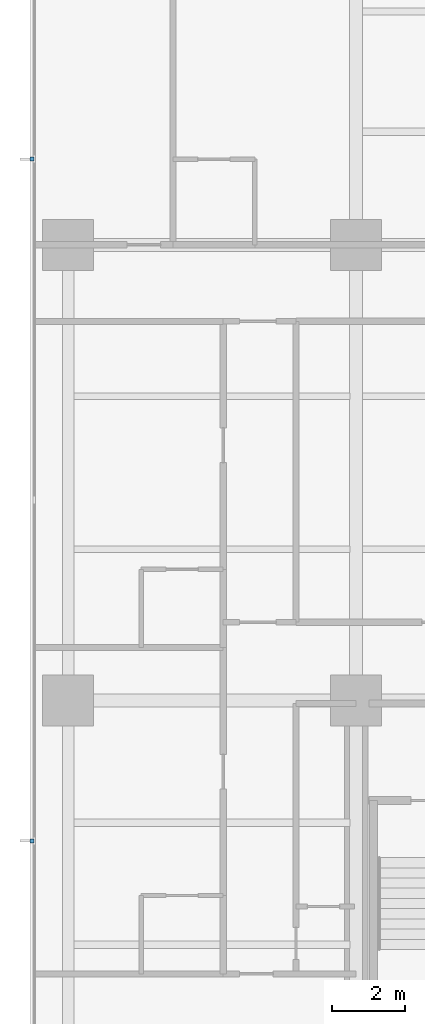
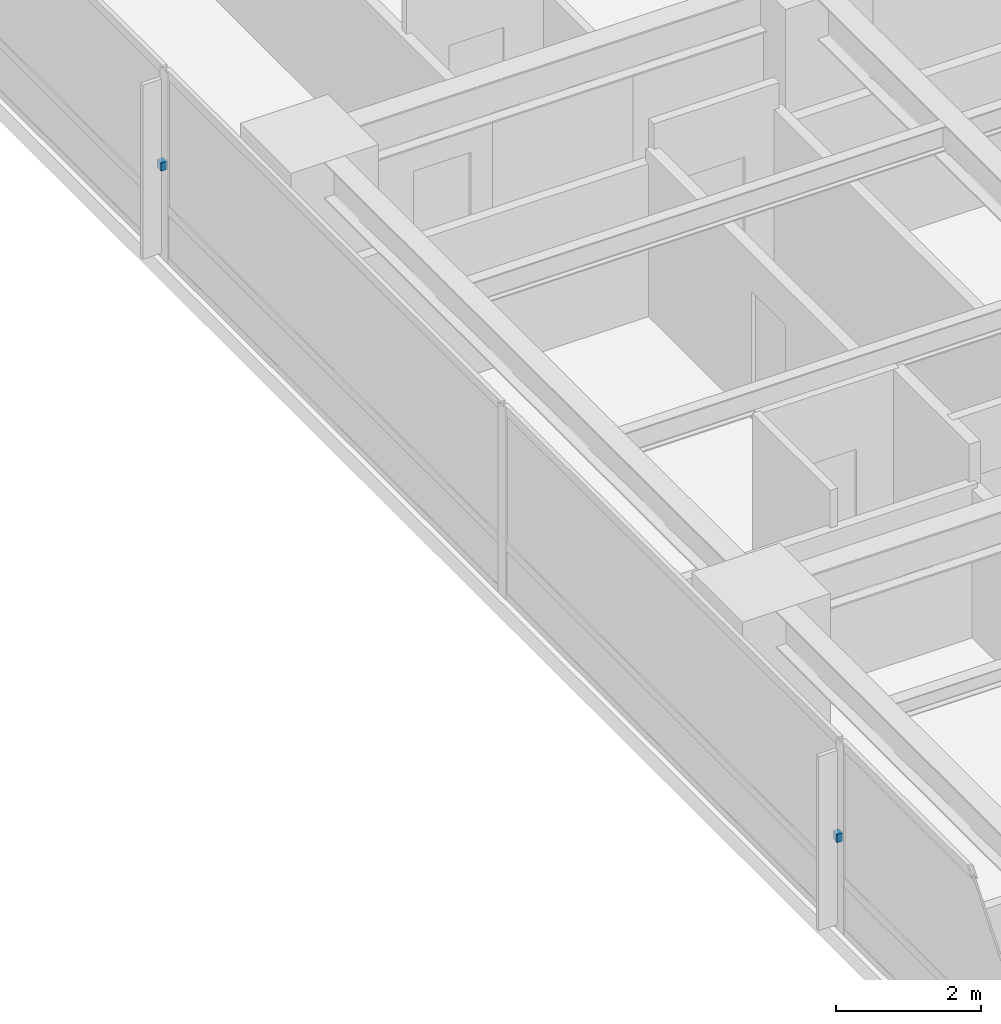
# One storey, part 12 of 17: 2 discrete accessories.
"""IFC4 building model written with IfcOpenShell, lengths in metres."""

from ifc_helpers import new_model, si_unit, direction, frame, origin, place, context, subcontext, project, spatial, polyline, outline, extrude, material, type_object, element, save


model = new_model("IFC4")

# Units and contexts
model_context = context("Model", 3, precision=1e-05, world=origin(), true_north=direction((0.0, 1.0)))
body_context = subcontext(model_context, "Body", "Model", "MODEL_VIEW")
ifc_project = project(units=[si_unit("LENGTHUNIT", "METRE"), si_unit("AREAUNIT", "SQUARE_METRE"), si_unit("VOLUMEUNIT", "CUBIC_METRE"), si_unit("PLANEANGLEUNIT", "RADIAN"), si_unit("MASSUNIT", "GRAM", prefix="KILO")], contexts=[model_context])

# Site, building, storey
site_placement = place(None, origin())
site = spatial("IfcSite", under=ifc_project, at=site_placement, CompositionType="ELEMENT")
building_placement = place(site_placement, origin())
building = spatial("IfcBuilding", under=site, at=building_placement, Name="Qalmaran Belvedere Hotel", CompositionType="ELEMENT")
storey_placement = place(building_placement, frame((0.0, 0.0, 47.39990234375)))
storey = spatial("IfcBuildingStorey", under=building, at=storey_placement, Name="L11", CompositionType="ELEMENT", Elevation=47.39990234375)

# Discrete accessories
ifc_material = material(Name="Stainless Steel 1.4401", Category="steel")
discrete_accessory_type = type_object("IfcDiscreteAccessoryType", Name="BRK-FIN-SS316", PredefinedType="BRACKET", material=ifc_material)
discrete_accessory_1_placement = place(storey_placement, frame((0.0, 0.0, 1.56005859375)))
element("IfcDiscreteAccessory", 1, at=discrete_accessory_1_placement, inside=storey, type_object=discrete_accessory_type, Name="L11 Fin Bracket 1", PredefinedType="BRACKET", context=body_context, shape_type="SweptSolid", body=[
    extrude(outline(polyline([(11.455078125, 35.405029296875), (11.357421875, 35.405029296875), (11.357421875, 35.294921875), (11.455078125, 35.294921875), (11.455078125, 35.405029296875)])), origin(), (0.0, 0.0, 1.0), 0.14013671875),
])
discrete_accessory_2_placement = place(storey_placement, frame((0.0, 0.0, 1.56005859375)))
element("IfcDiscreteAccessory", 2, at=discrete_accessory_2_placement, inside=storey, type_object=discrete_accessory_type, Name="L11 Fin Bracket 3", PredefinedType="BRACKET", context=body_context, shape_type="SweptSolid", body=[
    extrude(outline(polyline([(11.455078125, 16.705078125), (11.357421875, 16.705078125), (11.357421875, 16.594970703125), (11.455078125, 16.594970703125), (11.455078125, 16.705078125)])), origin(), (0.0, 0.0, 1.0), 0.14013671875),
])

save(model, "model.ifc")
